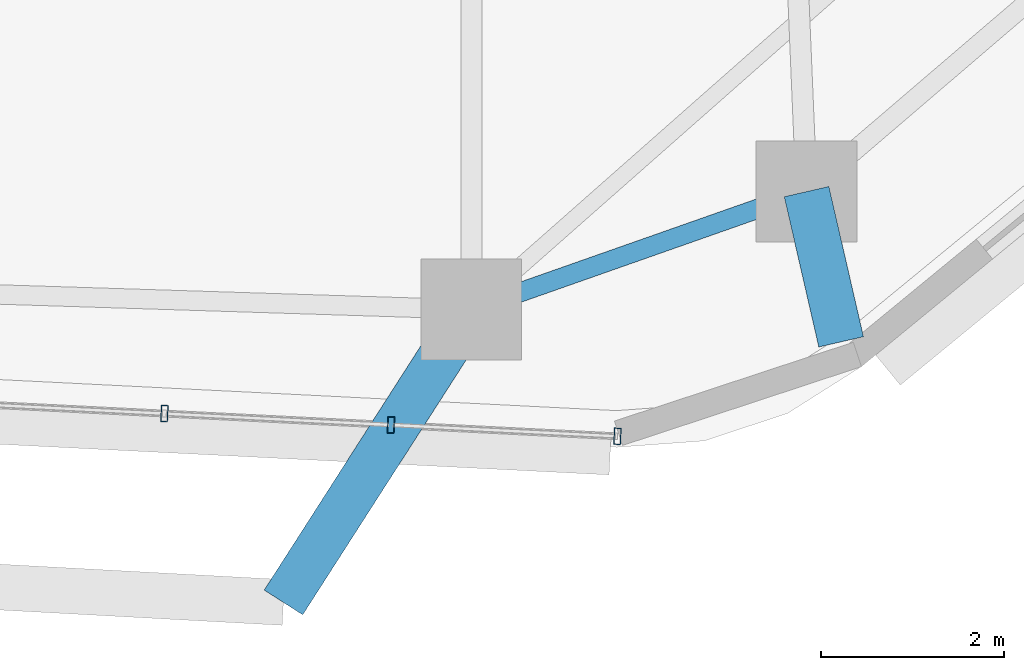
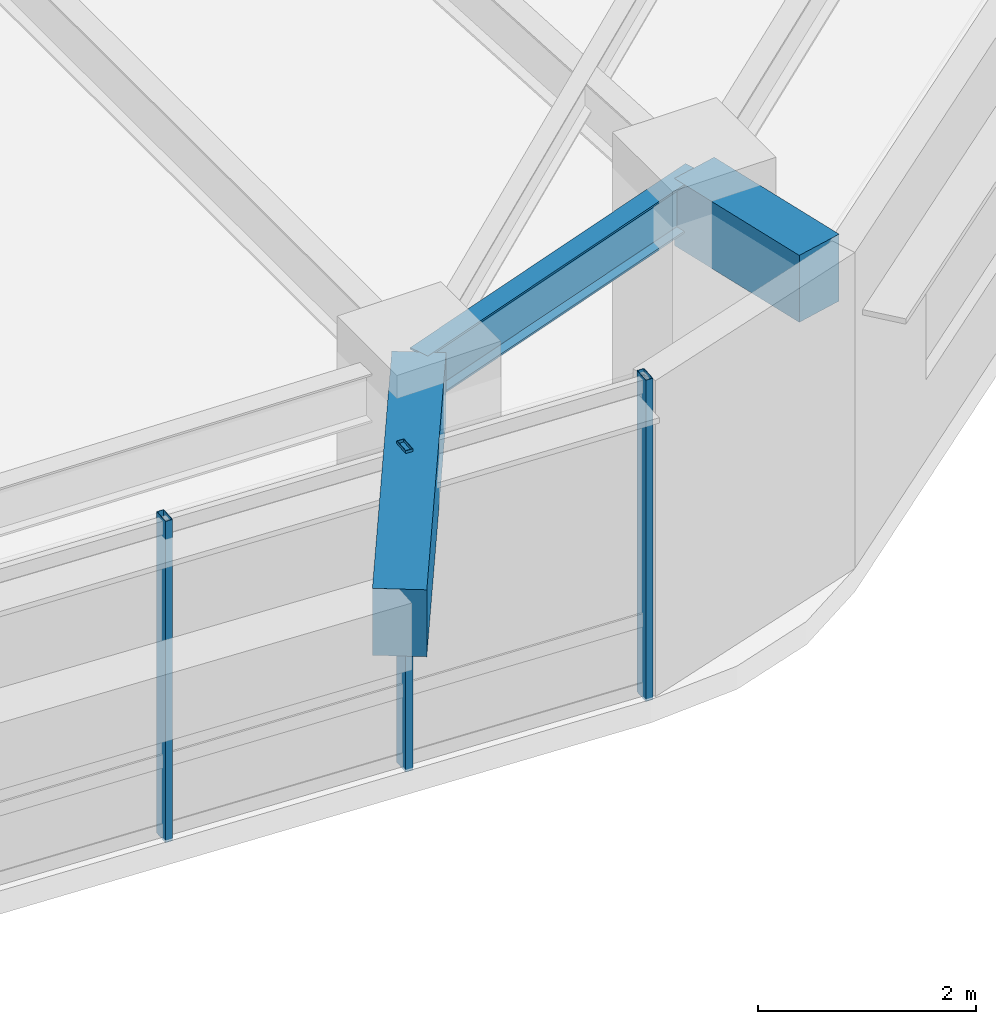
# One storey, part 6 of 14: 3 beams, 3 members, 1 element without a shape of its own.
"""IFC4 building model written with IfcOpenShell, lengths in metres."""

from ifc_helpers import new_model, si_unit, direction, frame, origin, origin_2d, place, context, subcontext, project, spatial, rectangle, hollow_rectangle, i_section, extrude, material, material_profile, profile_set, type_object, element, aggregate, save


model = new_model("IFC4")

# Units and contexts
model_context = context("Model", 3, precision=1e-05, world=origin(), true_north=direction((0.0, 1.0)))
body_context = subcontext(model_context, "Body", "Model", "MODEL_VIEW")
ifc_project = project(units=[si_unit("LENGTHUNIT", "METRE"), si_unit("AREAUNIT", "SQUARE_METRE"), si_unit("VOLUMEUNIT", "CUBIC_METRE"), si_unit("PLANEANGLEUNIT", "RADIAN"), si_unit("MASSUNIT", "GRAM", prefix="KILO")], contexts=[model_context])

# Site, building, storey
site_placement = place(None, origin())
site = spatial("IfcSite", under=ifc_project, at=site_placement, CompositionType="ELEMENT")
building_placement = place(site_placement, origin())
building = spatial("IfcBuilding", under=site, at=building_placement, Name="Zulverin Broadcast Headquarters", CompositionType="ELEMENT")
storey_placement = place(building_placement, frame((0.0, 0.0, 140.199951171875)))
storey = spatial("IfcBuildingStorey", under=building, at=storey_placement, Name="L35", CompositionType="ELEMENT", Elevation=140.199951171875)

# Beams
ifc_material_1 = material(Name="Concrete C40/50", Category="concrete")
ifc_material_profile_1 = material_profile(ifc_material_1, rectangle(XDim=0.5, YDim=0.75, at=origin_2d()), Name="Concrete C40/50", Category="concrete")
ifc_profile_set_1 = profile_set([ifc_material_profile_1], Name="Concrete C40/50")
beam_type_1 = type_object("IfcBeamType", Name="BM-RC-500x750", PredefinedType="BEAM", material=ifc_profile_set_1)
beam_1_placement = place(storey_placement, frame((48.569580078125, 4.967041015625, 3.1650390625), z_axis=(0.224096721795, -0.974566908571, 0.0), x_axis=(0.974566908571, 0.224096721795, 0.0)))
element("IfcBeam", 1, at=beam_1_placement, inside=storey, type_object=beam_type_1, Name="L36 Plate Overhang Back-Spanned Beam OVR-03", PredefinedType="BEAM", context=body_context, shape_type="SweptSolid", body=[
    extrude(rectangle(XDim=0.5, YDim=0.75, at=origin_2d()), origin(), (0.0, 0.0, 1.0), 1.68310546875),
])
beam_2_placement = place(storey_placement, frame((44.909912109375, 3.68017578125, 3.1650390625), z_axis=(-0.53993580069, -0.841706202385, 0.0), x_axis=(0.841706202385, -0.53993580069, 0.0)))
element("IfcBeam", 2, at=beam_2_placement, inside=storey, type_object=beam_type_1, Name="L36 Balcony Column-Framed Cantilever BAL_S-2", PredefinedType="BEAM", context=body_context, shape_type="SweptSolid", body=[
    extrude(rectangle(XDim=0.5, YDim=0.75, at=origin_2d()), origin(), (0.0, 0.0, 1.0), 3.800048828125),
])
ifc_material_2 = material(Name="Structural steel S355JR", Category="steel")
ifc_material_profile_2 = material_profile(ifc_material_2, i_section(OverallWidth=0.2119140625, OverallDepth=0.54443359375, WebThickness=0.0126953125, FlangeThickness=0.021240234375, at=origin_2d()), Name="Structural steel S355JR", Category="steel")
ifc_profile_set_2 = profile_set([ifc_material_profile_2], Name="Structural steel S355JR")
beam_type_2 = type_object("IfcBeamType", Name="BM-UB-533", PredefinedType="SPANDREL", material=ifc_profile_set_2)
beam_3_placement = place(storey_placement, frame((44.909912109375, 3.68017578125, 3.267822265625), z_axis=(0.943376593622, 0.331723684121, 0.0), x_axis=(-0.331723684121, 0.943376593622, 0.0)))
element("IfcBeam", 3, at=beam_3_placement, inside=storey, type_object=beam_type_2, Name="L35 Perimeter Spandrel Beam SP-02", PredefinedType="SPANDREL", context=body_context, shape_type="SweptSolid", body=[
    extrude(i_section(OverallWidth=0.2119140625, OverallDepth=0.54443359375, WebThickness=0.0126953125, FlangeThickness=0.021240234375, at=origin_2d()), origin(), (0.0, 0.0, 1.0), 3.87939453125),
])

# Curtain wall, members
ifc_material_3 = material(Name="Waist wind-pressure unitised curtain wall", Category="aluminium")
curtain_wall_type = type_object("IfcCurtainWallType", Name="CW-TWR-WST", PredefinedType="USERDEFINED", material=ifc_material_3)
curtain_wall_placement = place(storey_placement, origin())
curtain_wall = element("IfcCurtainWall", 4, at=curtain_wall_placement, inside=storey, type_object=curtain_wall_type, Name="L35 Unitised Curtain Wall CW-L35-E1", ObjectType="UNITISED CURTAIN WALL", PredefinedType="USERDEFINED")
ifc_material_4 = material(Name="Anodized pale-metal aluminium alloy 6063-T6", Category="aluminium")
ifc_material_profile_3 = material_profile(ifc_material_4, hollow_rectangle(XDim=0.074951171875, YDim=0.179931640625, WallThickness=0.0048828125, at=origin_2d()), Name="Anodized pale-metal aluminium alloy 6063-T6", Category="aluminium")
ifc_profile_set_3 = profile_set([ifc_material_profile_3], Name="Anodized pale-metal aluminium alloy 6063-T6")
member_type = type_object("IfcMemberType", Name="CW-MUL-180", PredefinedType="MULLION", material=ifc_profile_set_3)
member_1_placement = place(storey_placement, frame((41.558837890625, 2.54345703125, -0.030029296875), z_axis=(0.0, 0.0, 1.0), x_axis=(0.99874387485, -0.050106610841, 0.0)))
member_1 = element("IfcMember", 5, at=member_1_placement, type_object=member_type, Name="CW-L35-E1 Mullion 05", PredefinedType="MULLION", context=body_context, shape_type="SweptSolid", body=[
    extrude(hollow_rectangle(XDim=0.074951171875, YDim=0.179931640625, WallThickness=0.0048828125, at=origin_2d()), origin(), (0.0, 0.0, 1.0), 3.60009765625),
])
member_2_placement = place(storey_placement, frame((44.031982421875, 2.41943359375, -0.030029296875), z_axis=(0.0, 0.0, 1.0), x_axis=(0.99874387485, -0.050106610841, 0.0)))
member_2 = element("IfcMember", 6, at=member_2_placement, type_object=member_type, Name="CW-L35-E1 Mullion 06", PredefinedType="MULLION", context=body_context, shape_type="SweptSolid", body=[
    extrude(hollow_rectangle(XDim=0.074951171875, YDim=0.179931640625, WallThickness=0.0048828125, at=origin_2d()), origin(), (0.0, 0.0, 1.0), 3.60009765625),
])
member_3_placement = place(storey_placement, frame((46.5048828125, 2.29541015625, -0.030029296875), z_axis=(0.0, 0.0, 1.0), x_axis=(0.99874387485, -0.050106610841, 0.0)))
member_3 = element("IfcMember", 7, at=member_3_placement, type_object=member_type, Name="CW-L35-E1 Mullion 07", PredefinedType="MULLION", context=body_context, shape_type="SweptSolid", body=[
    extrude(hollow_rectangle(XDim=0.074951171875, YDim=0.179931640625, WallThickness=0.0048828125, at=origin_2d()), origin(), (0.0, 0.0, 1.0), 3.60009765625),
])
aggregate(curtain_wall, [member_1, member_2, member_3])

save(model, "model.ifc")
